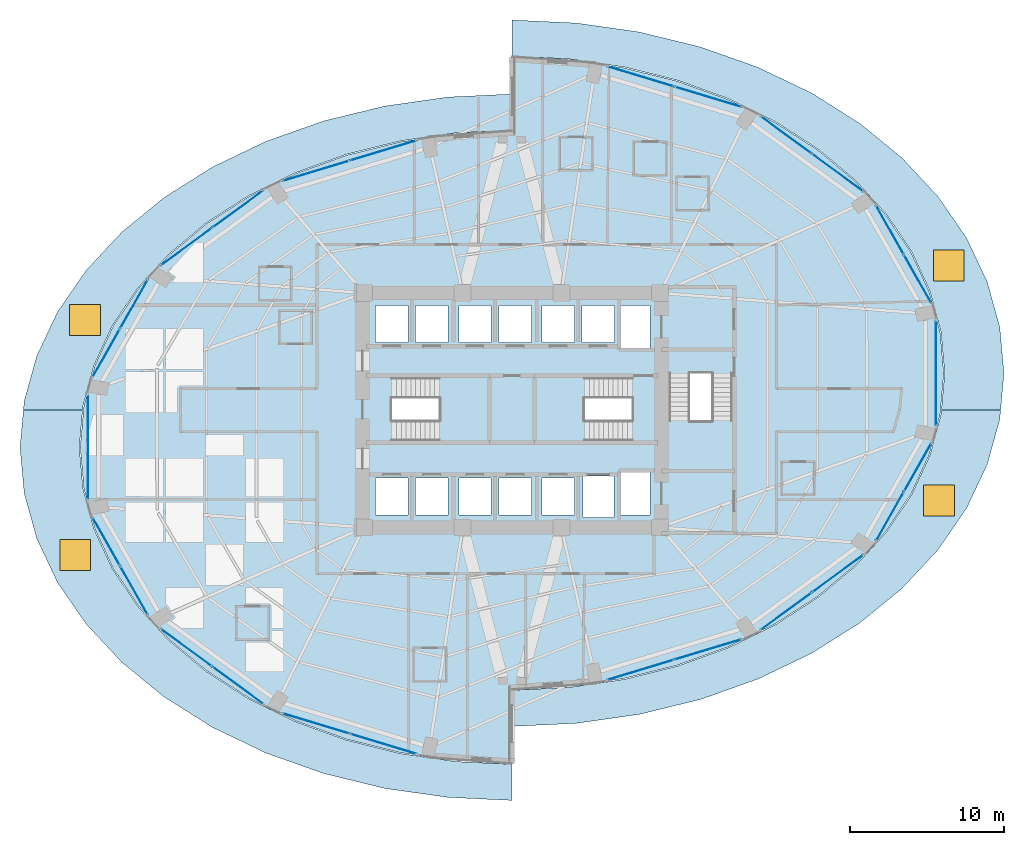
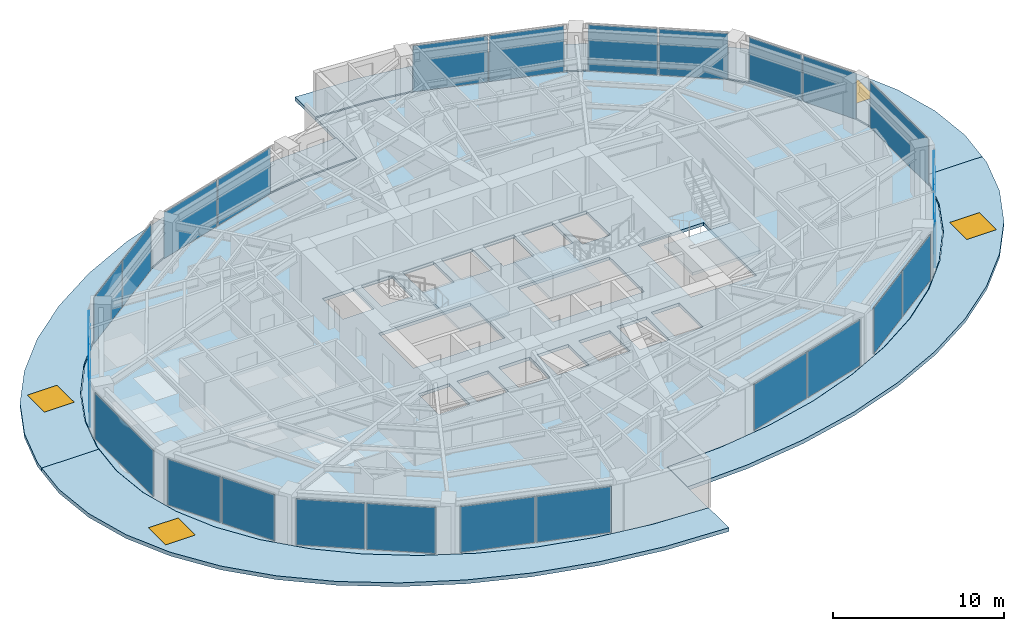
# One storey, part 19 of 25: 26 plates, 8 slabs, 4 windows, 4 openings, 17 elements without a shape of their own.
"""IFC4 building model written with IfcOpenShell, lengths in metres."""

from ifc_helpers import new_model, si_unit, direction, frame, origin, origin_2d, place, context, subcontext, project, spatial, polyline, rectangle, outline, extrude, material, layer, layer_set, type_object, element, fill, aggregate, save


model = new_model("IFC4")

# Units and contexts
model_context = context("Model", 3, precision=1e-05, world=origin(), true_north=direction((0.0, 1.0)))
body_context = subcontext(model_context, "Body", "Model", "MODEL_VIEW")
ifc_project = project(units=[si_unit("LENGTHUNIT", "METRE"), si_unit("AREAUNIT", "SQUARE_METRE"), si_unit("VOLUMEUNIT", "CUBIC_METRE"), si_unit("PLANEANGLEUNIT", "RADIAN"), si_unit("MASSUNIT", "GRAM", prefix="KILO")], contexts=[model_context])

# Site, building, storey
site_placement = place(None, origin())
site = spatial("IfcSite", under=ifc_project, at=site_placement, CompositionType="ELEMENT")
building_placement = place(site_placement, origin())
building = spatial("IfcBuilding", under=site, at=building_placement, Name="Lazwardi Medical Tower", CompositionType="ELEMENT")
storey_placement = place(building_placement, frame((0.0, 0.0, 25.199951171875)))
storey = spatial("IfcBuildingStorey", under=building, at=storey_placement, Name="L05", CompositionType="ELEMENT", Elevation=25.199951171875)

# Curtain wall, plates
ifc_material_1 = material(Name="Anodised bronze aluminium and solar control glazing", Category="aluminium")
ifc_layer_1 = layer(ifc_material_1, 0.199951171875)
ifc_layer_set_1 = layer_set([ifc_layer_1], Name="Anodised bronze aluminium and solar control glazing")
curtain_wall_type = type_object("IfcCurtainWallType", Name="CW-SYS-02", PredefinedType="NOTDEFINED", material=ifc_layer_set_1)
curtain_wall_1_placement = place(storey_placement, origin())
curtain_wall_1 = element("IfcCurtainWall", 1, at=curtain_wall_1_placement, inside=storey, type_object=curtain_wall_type, Name="L05 Unitised bronze curtain wall CW-02", PredefinedType="NOTDEFINED")
ifc_material_2 = material(Name="Low-e bronze solar control double glazing", Category="glass")
ifc_layer_2 = layer(ifc_material_2, 0.035888671875)
ifc_layer_set_2 = layer_set([ifc_layer_2], Name="Low-e bronze solar control double glazing")
plate_type = type_object("IfcPlateType", Name="PLT-GLZ-01", PredefinedType="CURTAIN_PANEL", material=ifc_layer_set_2)
plate_1_placement = place(storey_placement, frame((44.335693359375, 11.158935546875, 0.0751953125), z_axis=(0.0, 0.0, 1.0), x_axis=(0.957058247129, 0.2898956909, 0.0)))
plate_1 = element("IfcPlate", 2, at=plate_1_placement, type_object=plate_type, Name="CW-02 panel 1.1", PredefinedType="CURTAIN_PANEL", context=body_context, shape_type="SweptSolid", body=[
    extrude(rectangle(XDim=4.49658203125, YDim=0.035888671875, at=origin_2d()), origin(), (0.0, 0.0, 1.0), 3.278076171875),
])
plate_2_placement = place(storey_placement, frame((48.7109375, 12.484130859375, 0.0751953125), z_axis=(0.0, 0.0, 1.0), x_axis=(0.957058247129, 0.2898956909, 0.0)))
plate_2 = element("IfcPlate", 3, at=plate_2_placement, type_object=plate_type, Name="CW-02 panel 2.1", PredefinedType="CURTAIN_PANEL", context=body_context, shape_type="SweptSolid", body=[
    extrude(rectangle(XDim=4.49658203125, YDim=0.035888671875, at=origin_2d()), origin(), (0.0, 0.0, 1.0), 3.278076171875),
])
aggregate(curtain_wall_1, [plate_1, plate_2])

curtain_wall_2_placement = place(storey_placement, origin())
curtain_wall_2 = element("IfcCurtainWall", 4, at=curtain_wall_2_placement, inside=storey, type_object=curtain_wall_type, Name="L05 Unitised bronze curtain wall CW-02", PredefinedType="NOTDEFINED")
plate_3_placement = place(storey_placement, frame((53.771484375, 14.957275390625, 0.0751953125), z_axis=(0.0, 0.0, 1.0), x_axis=(0.807191757663, 0.590289307341, 0.0)))
plate_3 = element("IfcPlate", 5, at=plate_3_placement, type_object=plate_type, Name="CW-02 panel 1.1", PredefinedType="CURTAIN_PANEL", context=body_context, shape_type="SweptSolid", body=[
    extrude(rectangle(XDim=4.070068359375, YDim=0.035888671875, at=origin_2d()), origin(), (0.0, 0.0, 1.0), 3.278076171875),
])
plate_4_placement = place(storey_placement, frame((57.117431640625, 17.404052734375, 0.0751953125), z_axis=(0.0, 0.0, 1.0), x_axis=(0.807191757663, 0.590289307341, 0.0)))
plate_4 = element("IfcPlate", 6, at=plate_4_placement, type_object=plate_type, Name="CW-02 panel 2.1", PredefinedType="CURTAIN_PANEL", context=body_context, shape_type="SweptSolid", body=[
    extrude(rectangle(XDim=4.070068359375, YDim=0.035888671875, at=origin_2d()), origin(), (0.0, 0.0, 1.0), 3.278076171875),
])
aggregate(curtain_wall_2, [plate_3, plate_4])

curtain_wall_3_placement = place(storey_placement, origin())
curtain_wall_3 = element("IfcCurtainWall", 7, at=curtain_wall_3_placement, inside=storey, type_object=curtain_wall_type, Name="L05 Unitised bronze curtain wall CW-02", PredefinedType="NOTDEFINED")
plate_5_placement = place(storey_placement, frame((60.5009765625, 21.10791015625, 0.0751953125), z_axis=(0.0, 0.0, 1.0), x_axis=(0.492854327303, 0.870111838823, 0.0)))
plate_5 = element("IfcPlate", 8, at=plate_5_placement, type_object=plate_type, Name="CW-02 panel 1.1", PredefinedType="CURTAIN_PANEL", context=body_context, shape_type="SweptSolid", body=[
    extrude(rectangle(XDim=3.5947265625, YDim=0.035888671875, at=origin_2d()), origin(), (0.0, 0.0, 1.0), 3.278076171875),
])
plate_6_placement = place(storey_placement, frame((62.3095703125, 24.301025390625, 0.0751953125), z_axis=(0.0, 0.0, 1.0), x_axis=(0.492854327303, 0.870111838823, 0.0)))
plate_6 = element("IfcPlate", 9, at=plate_6_placement, type_object=plate_type, Name="CW-02 panel 2.1", PredefinedType="CURTAIN_PANEL", context=body_context, shape_type="SweptSolid", body=[
    extrude(rectangle(XDim=3.5947265625, YDim=0.035888671875, at=origin_2d()), origin(), (0.0, 0.0, 1.0), 3.278076171875),
])
aggregate(curtain_wall_3, [plate_5, plate_6])

# Curtain wall, plate
curtain_wall_4_placement = place(storey_placement, origin())
curtain_wall_4 = element("IfcCurtainWall", 10, at=curtain_wall_4_placement, inside=storey, type_object=curtain_wall_type, Name="L05 Unitised bronze curtain wall CW-02", PredefinedType="NOTDEFINED")
plate_7_placement = place(storey_placement, frame((63.49853515625, 30.39990234375, 0.0751953125), z_axis=(0.0, 0.0, 1.0), x_axis=(0.0, 1.0, 0.0)))
plate_7 = element("IfcPlate", 11, at=plate_7_placement, type_object=plate_type, Name="CW-02 panel 1.1", PredefinedType="CURTAIN_PANEL", context=body_context, shape_type="SweptSolid", body=[
    extrude(rectangle(XDim=6.8330078125, YDim=0.035888671875, at=origin_2d()), origin(), (0.0, 0.0, 1.0), 3.278076171875),
])
aggregate(curtain_wall_4, [plate_7])

# Curtain wall, plates
curtain_wall_5_placement = place(storey_placement, origin())
curtain_wall_5 = element("IfcCurtainWall", 12, at=curtain_wall_5_placement, inside=storey, type_object=curtain_wall_type, Name="L05 Unitised bronze curtain wall CW-02", PredefinedType="NOTDEFINED")
plate_8_placement = place(storey_placement, frame((62.3095703125, 36.498779296875, 0.0751953125), z_axis=(0.0, 0.0, 1.0), x_axis=(-0.492854327303, 0.870111838823, 0.0)))
plate_8 = element("IfcPlate", 13, at=plate_8_placement, type_object=plate_type, Name="CW-02 panel 1.1", PredefinedType="CURTAIN_PANEL", context=body_context, shape_type="SweptSolid", body=[
    extrude(rectangle(XDim=3.5947265625, YDim=0.035888671875, at=origin_2d()), origin(), (0.0, 0.0, 1.0), 3.278076171875),
])
plate_9_placement = place(storey_placement, frame((60.5009765625, 39.69189453125, 0.0751953125), z_axis=(0.0, 0.0, 1.0), x_axis=(-0.492854327303, 0.870111838823, 0.0)))
plate_9 = element("IfcPlate", 14, at=plate_9_placement, type_object=plate_type, Name="CW-02 panel 2.1", PredefinedType="CURTAIN_PANEL", context=body_context, shape_type="SweptSolid", body=[
    extrude(rectangle(XDim=3.5947265625, YDim=0.035888671875, at=origin_2d()), origin(), (0.0, 0.0, 1.0), 3.278076171875),
])
aggregate(curtain_wall_5, [plate_8, plate_9])

curtain_wall_6_placement = place(storey_placement, origin())
curtain_wall_6 = element("IfcCurtainWall", 15, at=curtain_wall_6_placement, inside=storey, type_object=curtain_wall_type, Name="L05 Unitised bronze curtain wall CW-02", PredefinedType="NOTDEFINED")
plate_10_placement = place(storey_placement, frame((57.117431640625, 43.39599609375, 0.0751953125), z_axis=(0.0, 0.0, 1.0), x_axis=(-0.807191757663, 0.590289307341, 0.0)))
plate_10 = element("IfcPlate", 16, at=plate_10_placement, type_object=plate_type, Name="CW-02 panel 1.1", PredefinedType="CURTAIN_PANEL", context=body_context, shape_type="SweptSolid", body=[
    extrude(rectangle(XDim=4.070068359375, YDim=0.035888671875, at=origin_2d()), origin(), (0.0, 0.0, 1.0), 3.278076171875),
])
plate_11_placement = place(storey_placement, frame((53.771484375, 45.8427734375, 0.0751953125), z_axis=(0.0, 0.0, 1.0), x_axis=(-0.807191757663, 0.590289307341, 0.0)))
plate_11 = element("IfcPlate", 17, at=plate_11_placement, type_object=plate_type, Name="CW-02 panel 2.1", PredefinedType="CURTAIN_PANEL", context=body_context, shape_type="SweptSolid", body=[
    extrude(rectangle(XDim=4.070068359375, YDim=0.035888671875, at=origin_2d()), origin(), (0.0, 0.0, 1.0), 3.278076171875),
])
aggregate(curtain_wall_6, [plate_10, plate_11])

curtain_wall_7_placement = place(storey_placement, origin())
curtain_wall_7 = element("IfcCurtainWall", 18, at=curtain_wall_7_placement, inside=storey, type_object=curtain_wall_type, Name="L05 Unitised bronze curtain wall CW-02", PredefinedType="NOTDEFINED")
plate_12_placement = place(storey_placement, frame((48.7109375, 48.31591796875, 0.0751953125), z_axis=(0.0, 0.0, 1.0), x_axis=(-0.957058247129, 0.2898956909, 0.0)))
plate_12 = element("IfcPlate", 19, at=plate_12_placement, type_object=plate_type, Name="CW-02 panel 1.1", PredefinedType="CURTAIN_PANEL", context=body_context, shape_type="SweptSolid", body=[
    extrude(rectangle(XDim=4.49658203125, YDim=0.035888671875, at=origin_2d()), origin(), (0.0, 0.0, 1.0), 3.278076171875),
])
plate_13_placement = place(storey_placement, frame((44.335693359375, 49.64111328125, 0.0751953125), z_axis=(0.0, 0.0, 1.0), x_axis=(-0.957058247129, 0.2898956909, 0.0)))
plate_13 = element("IfcPlate", 20, at=plate_13_placement, type_object=plate_type, Name="CW-02 panel 2.1", PredefinedType="CURTAIN_PANEL", context=body_context, shape_type="SweptSolid", body=[
    extrude(rectangle(XDim=4.49658203125, YDim=0.035888671875, at=origin_2d()), origin(), (0.0, 0.0, 1.0), 3.278076171875),
])
aggregate(curtain_wall_7, [plate_12, plate_13])

curtain_wall_8_placement = place(storey_placement, origin())
curtain_wall_8 = element("IfcCurtainWall", 21, at=curtain_wall_8_placement, inside=storey, type_object=curtain_wall_type, Name="L05 Unitised bronze curtain wall CW-02", PredefinedType="NOTDEFINED")
plate_14_placement = place(storey_placement, frame((27.664306640625, 44.841064453125, 0.0751953125), z_axis=(0.0, 0.0, 1.0), x_axis=(-0.957058247129, -0.2898956909, 0.0)))
plate_14 = element("IfcPlate", 22, at=plate_14_placement, type_object=plate_type, Name="CW-02 panel 1.1", PredefinedType="CURTAIN_PANEL", context=body_context, shape_type="SweptSolid", body=[
    extrude(rectangle(XDim=4.49658203125, YDim=0.035888671875, at=origin_2d()), origin(), (0.0, 0.0, 1.0), 3.278076171875),
])
plate_15_placement = place(storey_placement, frame((23.2890625, 43.515869140625, 0.0751953125), z_axis=(0.0, 0.0, 1.0), x_axis=(-0.957058247129, -0.2898956909, 0.0)))
plate_15 = element("IfcPlate", 23, at=plate_15_placement, type_object=plate_type, Name="CW-02 panel 2.1", PredefinedType="CURTAIN_PANEL", context=body_context, shape_type="SweptSolid", body=[
    extrude(rectangle(XDim=4.49658203125, YDim=0.035888671875, at=origin_2d()), origin(), (0.0, 0.0, 1.0), 3.278076171875),
])
aggregate(curtain_wall_8, [plate_14, plate_15])

curtain_wall_9_placement = place(storey_placement, origin())
curtain_wall_9 = element("IfcCurtainWall", 24, at=curtain_wall_9_placement, inside=storey, type_object=curtain_wall_type, Name="L05 Unitised bronze curtain wall CW-02", PredefinedType="NOTDEFINED")
plate_16_placement = place(storey_placement, frame((18.228515625, 41.042724609375, 0.0751953125), z_axis=(0.0, 0.0, 1.0), x_axis=(-0.807191757663, -0.590289307341, 0.0)))
plate_16 = element("IfcPlate", 25, at=plate_16_placement, type_object=plate_type, Name="CW-02 panel 1.1", PredefinedType="CURTAIN_PANEL", context=body_context, shape_type="SweptSolid", body=[
    extrude(rectangle(XDim=4.070068359375, YDim=0.035888671875, at=origin_2d()), origin(), (0.0, 0.0, 1.0), 3.278076171875),
])
plate_17_placement = place(storey_placement, frame((14.882568359375, 38.595947265625, 0.0751953125), z_axis=(0.0, 0.0, 1.0), x_axis=(-0.807191757663, -0.590289307341, 0.0)))
plate_17 = element("IfcPlate", 26, at=plate_17_placement, type_object=plate_type, Name="CW-02 panel 2.1", PredefinedType="CURTAIN_PANEL", context=body_context, shape_type="SweptSolid", body=[
    extrude(rectangle(XDim=4.070068359375, YDim=0.035888671875, at=origin_2d()), origin(), (0.0, 0.0, 1.0), 3.278076171875),
])
aggregate(curtain_wall_9, [plate_16, plate_17])

curtain_wall_10_placement = place(storey_placement, origin())
curtain_wall_10 = element("IfcCurtainWall", 27, at=curtain_wall_10_placement, inside=storey, type_object=curtain_wall_type, Name="L05 Unitised bronze curtain wall CW-02", PredefinedType="NOTDEFINED")
plate_18_placement = place(storey_placement, frame((11.4990234375, 34.89208984375, 0.0751953125), z_axis=(0.0, 0.0, 1.0), x_axis=(-0.492854327303, -0.870111838823, 0.0)))
plate_18 = element("IfcPlate", 28, at=plate_18_placement, type_object=plate_type, Name="CW-02 panel 1.1", PredefinedType="CURTAIN_PANEL", context=body_context, shape_type="SweptSolid", body=[
    extrude(rectangle(XDim=3.5947265625, YDim=0.035888671875, at=origin_2d()), origin(), (0.0, 0.0, 1.0), 3.278076171875),
])
plate_19_placement = place(storey_placement, frame((9.6904296875, 31.698974609375, 0.0751953125), z_axis=(0.0, 0.0, 1.0), x_axis=(-0.492854327303, -0.870111838823, 0.0)))
plate_19 = element("IfcPlate", 29, at=plate_19_placement, type_object=plate_type, Name="CW-02 panel 2.1", PredefinedType="CURTAIN_PANEL", context=body_context, shape_type="SweptSolid", body=[
    extrude(rectangle(XDim=3.5947265625, YDim=0.035888671875, at=origin_2d()), origin(), (0.0, 0.0, 1.0), 3.278076171875),
])
aggregate(curtain_wall_10, [plate_18, plate_19])

# Curtain wall, plate
curtain_wall_11_placement = place(storey_placement, origin())
curtain_wall_11 = element("IfcCurtainWall", 30, at=curtain_wall_11_placement, inside=storey, type_object=curtain_wall_type, Name="L05 Unitised bronze curtain wall CW-02", PredefinedType="NOTDEFINED")
plate_20_placement = place(storey_placement, frame((8.50146484375, 25.60009765625, 0.0751953125), z_axis=(0.0, 0.0, 1.0), x_axis=(0.0, -1.0, 0.0)))
plate_20 = element("IfcPlate", 31, at=plate_20_placement, type_object=plate_type, Name="CW-02 panel 1.1", PredefinedType="CURTAIN_PANEL", context=body_context, shape_type="SweptSolid", body=[
    extrude(rectangle(XDim=6.8330078125, YDim=0.035888671875, at=origin_2d()), origin(), (0.0, 0.0, 1.0), 3.278076171875),
])
aggregate(curtain_wall_11, [plate_20])

# Curtain wall, plates
curtain_wall_12_placement = place(storey_placement, origin())
curtain_wall_12 = element("IfcCurtainWall", 32, at=curtain_wall_12_placement, inside=storey, type_object=curtain_wall_type, Name="L05 Unitised bronze curtain wall CW-02", PredefinedType="NOTDEFINED")
plate_21_placement = place(storey_placement, frame((9.6904296875, 19.501220703125, 0.0751953125), z_axis=(0.0, 0.0, 1.0), x_axis=(0.492854327303, -0.870111838823, 0.0)))
plate_21 = element("IfcPlate", 33, at=plate_21_placement, type_object=plate_type, Name="CW-02 panel 1.1", PredefinedType="CURTAIN_PANEL", context=body_context, shape_type="SweptSolid", body=[
    extrude(rectangle(XDim=3.5947265625, YDim=0.035888671875, at=origin_2d()), origin(), (0.0, 0.0, 1.0), 3.278076171875),
])
plate_22_placement = place(storey_placement, frame((11.4990234375, 16.30810546875, 0.0751953125), z_axis=(0.0, 0.0, 1.0), x_axis=(0.492854327303, -0.870111838823, 0.0)))
plate_22 = element("IfcPlate", 34, at=plate_22_placement, type_object=plate_type, Name="CW-02 panel 2.1", PredefinedType="CURTAIN_PANEL", context=body_context, shape_type="SweptSolid", body=[
    extrude(rectangle(XDim=3.5947265625, YDim=0.035888671875, at=origin_2d()), origin(), (0.0, 0.0, 1.0), 3.278076171875),
])
aggregate(curtain_wall_12, [plate_21, plate_22])

curtain_wall_13_placement = place(storey_placement, origin())
curtain_wall_13 = element("IfcCurtainWall", 35, at=curtain_wall_13_placement, inside=storey, type_object=curtain_wall_type, Name="L05 Unitised bronze curtain wall CW-02", PredefinedType="NOTDEFINED")
plate_23_placement = place(storey_placement, frame((14.882568359375, 12.60400390625, 0.0751953125), z_axis=(0.0, 0.0, 1.0), x_axis=(0.807191757663, -0.590289307341, 0.0)))
plate_23 = element("IfcPlate", 36, at=plate_23_placement, type_object=plate_type, Name="CW-02 panel 1.1", PredefinedType="CURTAIN_PANEL", context=body_context, shape_type="SweptSolid", body=[
    extrude(rectangle(XDim=4.070068359375, YDim=0.035888671875, at=origin_2d()), origin(), (0.0, 0.0, 1.0), 3.278076171875),
])
plate_24_placement = place(storey_placement, frame((18.228515625, 10.1572265625, 0.0751953125), z_axis=(0.0, 0.0, 1.0), x_axis=(0.807191757663, -0.590289307341, 0.0)))
plate_24 = element("IfcPlate", 37, at=plate_24_placement, type_object=plate_type, Name="CW-02 panel 2.1", PredefinedType="CURTAIN_PANEL", context=body_context, shape_type="SweptSolid", body=[
    extrude(rectangle(XDim=4.070068359375, YDim=0.035888671875, at=origin_2d()), origin(), (0.0, 0.0, 1.0), 3.278076171875),
])
aggregate(curtain_wall_13, [plate_23, plate_24])

curtain_wall_14_placement = place(storey_placement, origin())
curtain_wall_14 = element("IfcCurtainWall", 38, at=curtain_wall_14_placement, inside=storey, type_object=curtain_wall_type, Name="L05 Unitised bronze curtain wall CW-02", PredefinedType="NOTDEFINED")
plate_25_placement = place(storey_placement, frame((23.2890625, 7.68408203125, 0.0751953125), z_axis=(0.0, 0.0, 1.0), x_axis=(0.957058247129, -0.2898956909, 0.0)))
plate_25 = element("IfcPlate", 39, at=plate_25_placement, type_object=plate_type, Name="CW-02 panel 1.1", PredefinedType="CURTAIN_PANEL", context=body_context, shape_type="SweptSolid", body=[
    extrude(rectangle(XDim=4.49658203125, YDim=0.035888671875, at=origin_2d()), origin(), (0.0, 0.0, 1.0), 3.278076171875),
])
plate_26_placement = place(storey_placement, frame((27.664306640625, 6.35888671875, 0.0751953125), z_axis=(0.0, 0.0, 1.0), x_axis=(0.957058247129, -0.2898956909, 0.0)))
plate_26 = element("IfcPlate", 40, at=plate_26_placement, type_object=plate_type, Name="CW-02 panel 2.1", PredefinedType="CURTAIN_PANEL", context=body_context, shape_type="SweptSolid", body=[
    extrude(rectangle(XDim=4.49658203125, YDim=0.035888671875, at=origin_2d()), origin(), (0.0, 0.0, 1.0), 3.278076171875),
])
aggregate(curtain_wall_14, [plate_25, plate_26])

# Stair, slab
ifc_material_3 = material(Name="Concrete C45/55", Category="concrete")
stair_type = type_object("IfcStairType", Name="STR-WRD", PredefinedType="HALF_TURN_STAIR", material=ifc_material_3)
stair_1_placement = place(storey_placement, origin())
stair_1 = element("IfcStair", 41, at=stair_1_placement, inside=storey, type_object=stair_type, Name="L05 Protected Exit Stair ST1", PredefinedType="HALF_TURN_STAIR")
ifc_layer_3 = layer(ifc_material_3, 0.199951171875)
ifc_layer_set_3 = layer_set([ifc_layer_3], Name="Concrete C45/55")
slab_type_1 = type_object("IfcSlabType", Name="SLB-LND-190", PredefinedType="LANDING", material=ifc_layer_set_3)
slab_1_placement = place(storey_placement, frame((0.0, 0.0, 1.6240234375)))
slab_1 = element("IfcSlab", 42, at=slab_1_placement, type_object=slab_type_1, Name="ST1 landing 1", PredefinedType="LANDING", context=body_context, shape_type="SweptSolid", body=[
    extrude(outline(polyline([(31.27490234375, 25.840087890625), (34.580078125, 25.840087890625), (34.580078125, 30.280029296875), (31.27490234375, 30.280029296875), (31.27490234375, 25.840087890625)])), origin(), (0.0, 0.0, 1.0), 0.199951171875),
])
aggregate(stair_1, [slab_1])

stair_2_placement = place(storey_placement, origin())
stair_2 = element("IfcStair", 43, at=stair_2_placement, inside=storey, type_object=stair_type, Name="L05 Protected Exit Stair ST2", PredefinedType="HALF_TURN_STAIR")
slab_2_placement = place(storey_placement, frame((0.0, 0.0, 1.6240234375)))
slab_2 = element("IfcSlab", 44, at=slab_2_placement, type_object=slab_type_1, Name="ST2 landing 1", PredefinedType="LANDING", context=body_context, shape_type="SweptSolid", body=[
    extrude(outline(polyline([(40.72509765625, 30.280029296875), (37.419921875, 30.280029296875), (37.419921875, 25.840087890625), (40.72509765625, 25.840087890625), (40.72509765625, 30.280029296875)])), origin(), (0.0, 0.0, 1.0), 0.199951171875),
])
aggregate(stair_2, [slab_2])

stair_3_placement = place(storey_placement, origin())
stair_3 = element("IfcStair", 45, at=stair_3_placement, inside=storey, type_object=stair_type, Name="L05 Protected Exit Stair ST3", PredefinedType="HALF_TURN_STAIR")
slab_3_placement = place(storey_placement, frame((0.0, 0.0, 1.6240234375)))
slab_3 = element("IfcSlab", 46, at=slab_3_placement, type_object=slab_type_1, Name="ST3 landing 1", PredefinedType="LANDING", context=body_context, shape_type="SweptSolid", body=[
    extrude(outline(polyline([(45.860107421875, 27.324951171875), (45.860107421875, 24.02001953125), (50.4599609375, 24.02001953125), (50.4599609375, 27.324951171875), (45.860107421875, 27.324951171875)])), origin(), (0.0, 0.0, 1.0), 0.199951171875),
])
aggregate(stair_3, [slab_3])

# Slab
ifc_material_4 = material(Name="Concrete C50/60", Category="concrete")
ifc_layer_4 = layer(ifc_material_4, 0.219970703125)
ifc_layer_set_4 = layer_set([ifc_layer_4], Name="Concrete C50/60")
slab_type_2 = type_object("IfcSlabType", Name="SLB-WRD-220", PredefinedType="FLOOR", material=ifc_layer_set_4)
slab_4_placement = place(storey_placement, frame((0.0, 0.0, -0.219970703125)))
element("IfcSlab", 47, at=slab_4_placement, inside=storey, type_object=slab_type_2, Name="Structural floor slab SF-03 L05", PredefinedType="FLOOR", context=body_context, shape_type="SweptSolid", body=[
    extrude(outline(polyline([(10.13134765625, 33.445068359375), (8.9541015625, 30.90576171875), (8.239501953125, 28.27587890625), (8.0, 25.60009765625), (8.239501953125, 22.92431640625), (8.9541015625, 20.294189453125), (10.13134765625, 17.7548828125), (11.751220703125, 15.35009765625), (13.7861328125, 13.120361328125), (16.200927734375, 11.104248046875), (18.95458984375, 9.336181640625), (22.0, 7.846435546875), (25.284912109375, 6.660400390625), (28.753173828125, 5.798583984375), (32.34521484375, 5.275390625), (36.0, 5.10009765625), (36.0, 9.89990234375), (39.65478515625, 10.075439453125), (43.246826171875, 10.598388671875), (46.715087890625, 11.46044921875), (50.0, 12.646484375), (53.04541015625, 14.13623046875), (55.799072265625, 15.904296875), (58.2138671875, 17.92041015625), (60.248779296875, 20.14990234375), (61.86865234375, 22.554931640625), (63.0458984375, 25.09423828125), (63.760498046875, 27.72412109375), (64.0, 30.39990234375), (63.760498046875, 33.07568359375), (63.0458984375, 35.705810546875), (61.86865234375, 38.2451171875), (60.248779296875, 40.64990234375), (58.2138671875, 42.879638671875), (55.799072265625, 44.895751953125), (53.04541015625, 46.663818359375), (50.0, 48.153564453125), (46.715087890625, 49.339599609375), (43.246826171875, 50.201416015625), (39.65478515625, 50.724609375), (36.0, 50.89990234375), (36.0, 46.10009765625), (32.34521484375, 45.924560546875), (28.753173828125, 45.401611328125), (25.284912109375, 44.53955078125), (22.0, 43.353515625), (18.95458984375, 41.86376953125), (16.200927734375, 40.095703125), (13.7861328125, 38.07958984375), (11.751220703125, 35.85009765625), (10.13134765625, 33.445068359375)]), holes=[polyline([(28.22509765625, 26.02001953125), (28.22509765625, 30.10009765625), (34.39990234375, 30.10009765625), (34.39990234375, 26.02001953125), (28.22509765625, 26.02001953125)]), polyline([(37.60009765625, 30.10009765625), (43.77490234375, 30.10009765625), (43.77490234375, 26.02001953125), (37.60009765625, 26.02001953125), (37.60009765625, 30.10009765625)]), polyline([(50.280029296875, 30.375), (50.280029296875, 24.179931640625), (45.840087890625, 24.179931640625), (45.840087890625, 30.375), (50.280029296875, 30.375)]), polyline([(29.25, 32.39990234375), (27.14990234375, 32.39990234375), (27.14990234375, 34.800048828125), (29.25, 34.800048828125), (29.25, 32.39990234375)]), polyline([(29.75, 32.39990234375), (29.75, 34.800048828125), (31.85009765625, 34.800048828125), (31.85009765625, 32.39990234375), (29.75, 32.39990234375)]), polyline([(27.14990234375, 23.60009765625), (29.25, 23.60009765625), (29.25, 21.199951171875), (27.14990234375, 21.199951171875), (27.14990234375, 23.60009765625)]), polyline([(31.85009765625, 23.60009765625), (31.85009765625, 21.199951171875), (29.75, 21.199951171875), (29.75, 23.60009765625), (31.85009765625, 23.60009765625)]), polyline([(34.64990234375, 32.39990234375), (32.550048828125, 32.39990234375), (32.550048828125, 34.800048828125), (34.64990234375, 34.800048828125), (34.64990234375, 32.39990234375)]), polyline([(35.14990234375, 32.39990234375), (35.14990234375, 34.800048828125), (37.25, 34.800048828125), (37.25, 32.39990234375), (35.14990234375, 32.39990234375)]), polyline([(32.550048828125, 23.60009765625), (34.64990234375, 23.60009765625), (34.64990234375, 21.199951171875), (32.550048828125, 21.199951171875), (32.550048828125, 23.60009765625)]), polyline([(37.25, 23.60009765625), (37.25, 21.199951171875), (35.14990234375, 21.199951171875), (35.14990234375, 23.60009765625), (37.25, 23.60009765625)]), polyline([(40.050048828125, 32.39990234375), (37.949951171875, 32.39990234375), (37.949951171875, 34.800048828125), (40.050048828125, 34.800048828125), (40.050048828125, 32.39990234375)]), polyline([(40.550048828125, 32.39990234375), (40.550048828125, 34.800048828125), (42.64990234375, 34.800048828125), (42.64990234375, 32.39990234375), (40.550048828125, 32.39990234375)]), polyline([(37.949951171875, 23.60009765625), (40.050048828125, 23.60009765625), (40.050048828125, 21.199951171875), (37.949951171875, 21.199951171875), (37.949951171875, 23.60009765625)]), polyline([(44.949951171875, 34.800048828125), (44.949951171875, 32.0), (43.050048828125, 32.0), (43.050048828125, 34.800048828125), (44.949951171875, 34.800048828125)]), polyline([(44.949951171875, 21.199951171875), (43.050048828125, 21.199951171875), (43.050048828125, 24.0), (44.949951171875, 24.0), (44.949951171875, 21.199951171875)]), polyline([(40.60009765625, 21.050048828125), (40.60009765625, 23.75), (42.60009765625, 23.75), (42.60009765625, 21.050048828125), (40.60009765625, 21.050048828125)])]), origin(), (0.0, 0.0, 1.0), 0.219970703125),
])

# Slab, opening, window
ifc_layer_5 = layer(ifc_material_4, 0.27001953125)
ifc_layer_set_5 = layer_set([ifc_layer_5], Name="Concrete C50/60")
slab_type_3 = type_object("IfcSlabType", Name="SLB-WROOF-270", PredefinedType="ROOF", material=ifc_layer_set_5)
slab_5_placement = place(storey_placement, frame((0.0, 0.0, -0.219970703125)))
slab_5 = element("IfcSlab", 48, at=slab_5_placement, inside=storey, type_object=slab_type_3, Name="L05 Podium Setback Roof Slab 1", PredefinedType="ROOF", context=body_context, shape_type="SweptSolid", body=[
    extrude(outline(polyline([(36.0, 53.300048828125), (36.0, 50.949951171875), (39.661376953125, 50.774169921875), (43.260009765625, 50.249755859375), (46.734375, 49.3857421875), (50.02490234375, 48.19677734375), (53.07568359375, 46.703369140625), (55.834228515625, 44.930908203125), (58.253662109375, 42.909912109375), (60.2919921875, 40.675048828125), (61.914794921875, 38.26416015625), (63.09423828125, 35.71875), (63.81005859375, 33.082275390625), (64.050048828125, 30.39990234375), (63.835205078125, 28.0), (67.680908203125, 28.0), (67.89990234375, 30.39990234375), (67.627197265625, 33.388916015625), (66.81298828125, 36.326904296875), (65.4716796875, 39.16357421875), (63.626220703125, 41.85009765625), (61.30810546875, 44.340576171875), (58.556640625, 46.5927734375), (55.41943359375, 48.56787109375), (51.949951171875, 50.23193359375), (48.20751953125, 51.556884765625), (44.25634765625, 52.519775390625), (40.163818359375, 53.10400390625), (36.0, 53.300048828125)])), origin(), (0.0, 0.0, 1.0), 0.27001953125),
])
opening_1_placement = place(slab_5_placement, frame((64.31787109375, 37.37744140625, 0.0)))
opening_1 = element("IfcOpeningElement", 49, at=opening_1_placement, cuts=slab_5, Name="Opening SK-01", PredefinedType="OPENING", context=body_context, shape_type="SweptSolid", body=[
    extrude(rectangle(XDim=2.0, YDim=2.0, at=origin_2d()), origin(), (0.0, 0.0, 1.0), 0.27001953125),
])
ifc_material_5 = material(Name="Laminated solar-control safety skylight glazing", Category="glass")
window_type = type_object("IfcWindowType", Name="WIN-SKY-2400", PartitioningType="SINGLE_PANEL", PredefinedType="SKYLIGHT", material=ifc_material_5)
window_1_placement = place(opening_1_placement, frame((0.0, 0.0, 0.219970703125)))
window_1 = element("IfcWindow", 50, at=window_1_placement, inside=storey, type_object=window_type, Name="L05 Podium Atrium Skylight SK-01-1", OverallHeight=2.0, OverallWidth=2.0, PartitioningType="SINGLE_PANEL", PredefinedType="SKYLIGHT", context=body_context, shape_type="SweptSolid", body=[
    extrude(rectangle(XDim=2.0, YDim=2.0, at=origin_2d()), origin(), (0.0, 0.0, 1.0), 0.050048828125),
])
fill(opening_1, window_1)

slab_6_placement = place(storey_placement, frame((0.0, 0.0, -0.219970703125)))
slab_6 = element("IfcSlab", 51, at=slab_6_placement, inside=storey, type_object=slab_type_3, Name="L05 Podium Setback Roof Slab 2", PredefinedType="ROOF", context=body_context, shape_type="SweptSolid", body=[
    extrude(outline(polyline([(67.680908203125, 28.0), (63.835205078125, 28.0), (63.81005859375, 27.7177734375), (63.09423828125, 25.081298828125), (61.914794921875, 22.535888671875), (60.2919921875, 20.125), (58.253662109375, 17.889892578125), (55.834228515625, 15.868896484375), (53.07568359375, 14.0966796875), (50.02490234375, 12.603271484375), (46.734375, 11.414306640625), (43.260009765625, 10.55029296875), (39.661376953125, 10.02587890625), (36.0, 9.85009765625), (36.0, 7.5), (40.163818359375, 7.69580078125), (44.25634765625, 8.2802734375), (48.20751953125, 9.2431640625), (51.949951171875, 10.568115234375), (55.41943359375, 12.232177734375), (58.556640625, 14.207275390625), (61.30810546875, 16.45947265625), (63.626220703125, 18.949951171875), (65.4716796875, 21.636474609375), (66.81298828125, 24.472900390625), (67.627197265625, 27.410888671875), (67.680908203125, 28.0)])), origin(), (0.0, 0.0, 1.0), 0.27001953125),
])
opening_2_placement = place(slab_6_placement, frame((63.69140625, 22.14990234375, 0.0)))
opening_2 = element("IfcOpeningElement", 52, at=opening_2_placement, cuts=slab_6, Name="Opening SK-01", PredefinedType="OPENING", context=body_context, shape_type="SweptSolid", body=[
    extrude(rectangle(XDim=2.0, YDim=2.0, at=origin_2d()), origin(), (0.0, 0.0, 1.0), 0.27001953125),
])
window_2_placement = place(opening_2_placement, frame((0.0, 0.0, 0.219970703125)))
window_2 = element("IfcWindow", 53, at=window_2_placement, inside=storey, type_object=window_type, Name="L05 Podium Atrium Skylight SK-01-2", OverallHeight=2.0, OverallWidth=2.0, PartitioningType="SINGLE_PANEL", PredefinedType="SKYLIGHT", context=body_context, shape_type="SweptSolid", body=[
    extrude(rectangle(XDim=2.0, YDim=2.0, at=origin_2d()), origin(), (0.0, 0.0, 1.0), 0.050048828125),
])
fill(opening_2, window_2)

slab_7_placement = place(storey_placement, frame((0.0, 0.0, -0.219970703125)))
slab_7 = element("IfcSlab", 54, at=slab_7_placement, inside=storey, type_object=slab_type_3, Name="L05 Podium Setback Roof Slab 3", PredefinedType="ROOF", context=body_context, shape_type="SweptSolid", body=[
    extrude(outline(polyline([(4.319091796875, 28.0), (8.164794921875, 28.0), (8.18994140625, 28.2822265625), (8.90576171875, 30.918701171875), (10.085205078125, 33.464111328125), (11.7080078125, 35.875), (13.746337890625, 38.110107421875), (16.165771484375, 40.131103515625), (18.92431640625, 41.9033203125), (21.97509765625, 43.396728515625), (25.265625, 44.585693359375), (28.739990234375, 45.44970703125), (32.338623046875, 45.97412109375), (36.0, 46.14990234375), (36.0, 48.5), (31.836181640625, 48.30419921875), (27.74365234375, 47.7197265625), (23.79248046875, 46.7568359375), (20.050048828125, 45.431884765625), (16.58056640625, 43.767822265625), (13.443359375, 41.792724609375), (10.69189453125, 39.54052734375), (8.373779296875, 37.050048828125), (6.5283203125, 34.363525390625), (5.18701171875, 31.527099609375), (4.372802734375, 28.589111328125), (4.319091796875, 28.0)])), origin(), (0.0, 0.0, 1.0), 0.27001953125),
])
opening_3_placement = place(slab_7_placement, frame((8.30859375, 33.85009765625, 0.0)))
opening_3 = element("IfcOpeningElement", 55, at=opening_3_placement, cuts=slab_7, Name="Opening SK-01", PredefinedType="OPENING", context=body_context, shape_type="SweptSolid", body=[
    extrude(rectangle(XDim=2.0, YDim=2.0, at=origin_2d()), origin(), (0.0, 0.0, 1.0), 0.27001953125),
])
window_3_placement = place(opening_3_placement, frame((0.0, 0.0, 0.219970703125)))
window_3 = element("IfcWindow", 56, at=window_3_placement, inside=storey, type_object=window_type, Name="L05 Podium Atrium Skylight SK-01-3", OverallHeight=2.0, OverallWidth=2.0, PartitioningType="SINGLE_PANEL", PredefinedType="SKYLIGHT", context=body_context, shape_type="SweptSolid", body=[
    extrude(rectangle(XDim=2.0, YDim=2.0, at=origin_2d()), origin(), (0.0, 0.0, 1.0), 0.050048828125),
])
fill(opening_3, window_3)

slab_8_placement = place(storey_placement, frame((0.0, 0.0, -0.219970703125)))
slab_8 = element("IfcSlab", 57, at=slab_8_placement, inside=storey, type_object=slab_type_3, Name="L05 Podium Setback Roof Slab 4", PredefinedType="ROOF", context=body_context, shape_type="SweptSolid", body=[
    extrude(outline(polyline([(36.0, 2.699951171875), (36.0, 5.050048828125), (32.338623046875, 5.225830078125), (28.739990234375, 5.750244140625), (25.265625, 6.6142578125), (21.97509765625, 7.80322265625), (18.92431640625, 9.296630859375), (16.165771484375, 11.069091796875), (13.746337890625, 13.090087890625), (11.7080078125, 15.324951171875), (10.085205078125, 17.73583984375), (8.90576171875, 20.28125), (8.18994140625, 22.917724609375), (7.949951171875, 25.60009765625), (8.164794921875, 28.0), (4.319091796875, 28.0), (4.10009765625, 25.60009765625), (4.372802734375, 22.611083984375), (5.18701171875, 19.673095703125), (6.5283203125, 16.83642578125), (8.373779296875, 14.14990234375), (10.69189453125, 11.659423828125), (13.443359375, 9.4072265625), (16.58056640625, 7.43212890625), (20.050048828125, 5.76806640625), (23.79248046875, 4.443115234375), (27.74365234375, 3.480224609375), (31.836181640625, 2.89599609375), (36.0, 2.699951171875)])), origin(), (0.0, 0.0, 1.0), 0.27001953125),
])
opening_4_placement = place(slab_8_placement, frame((7.68212890625, 18.62255859375, 0.0)))
opening_4 = element("IfcOpeningElement", 58, at=opening_4_placement, cuts=slab_8, Name="Opening SK-01", PredefinedType="OPENING", context=body_context, shape_type="SweptSolid", body=[
    extrude(rectangle(XDim=2.0, YDim=2.0, at=origin_2d()), origin(), (0.0, 0.0, 1.0), 0.27001953125),
])
window_4_placement = place(opening_4_placement, frame((0.0, 0.0, 0.219970703125)))
window_4 = element("IfcWindow", 59, at=window_4_placement, inside=storey, type_object=window_type, Name="L05 Podium Atrium Skylight SK-01-4", OverallHeight=2.0, OverallWidth=2.0, PartitioningType="SINGLE_PANEL", PredefinedType="SKYLIGHT", context=body_context, shape_type="SweptSolid", body=[
    extrude(rectangle(XDim=2.0, YDim=2.0, at=origin_2d()), origin(), (0.0, 0.0, 1.0), 0.050048828125),
])
fill(opening_4, window_4)

save(model, "model.ifc")
